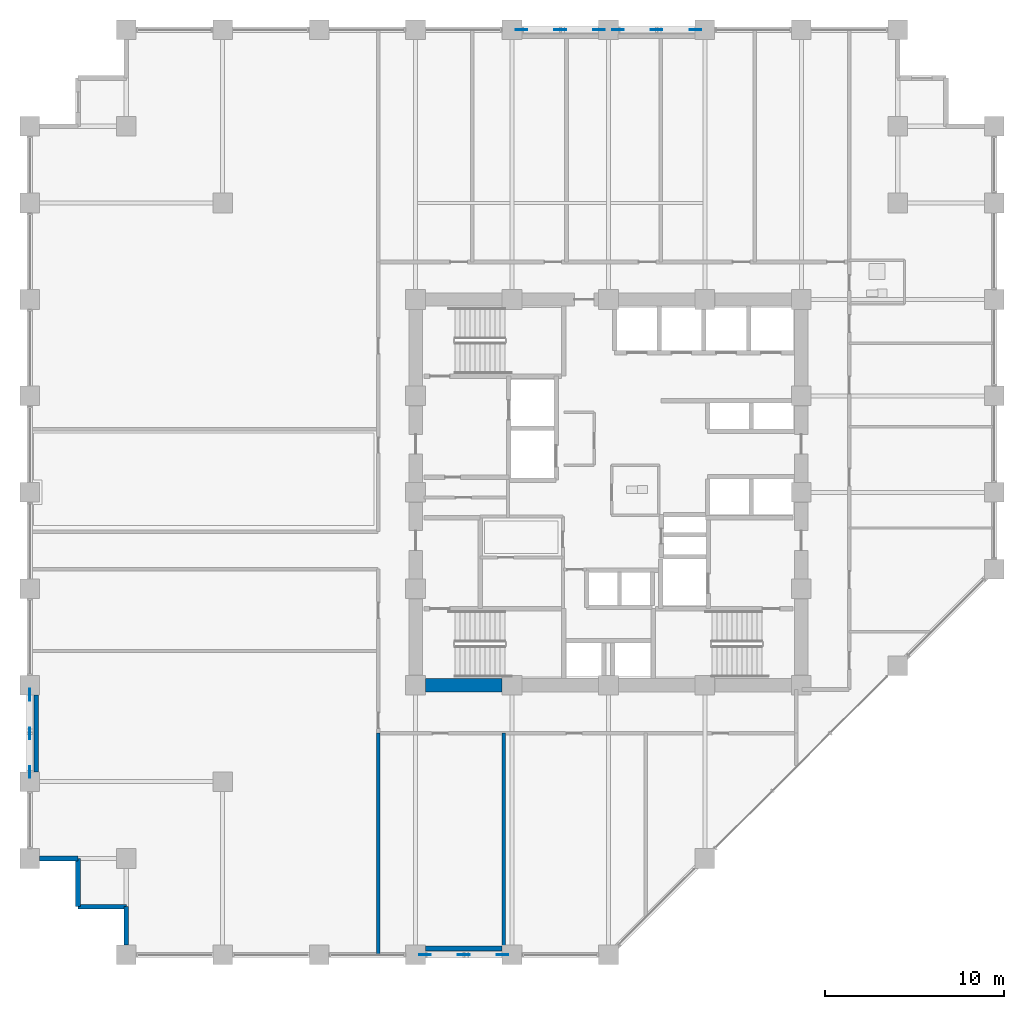
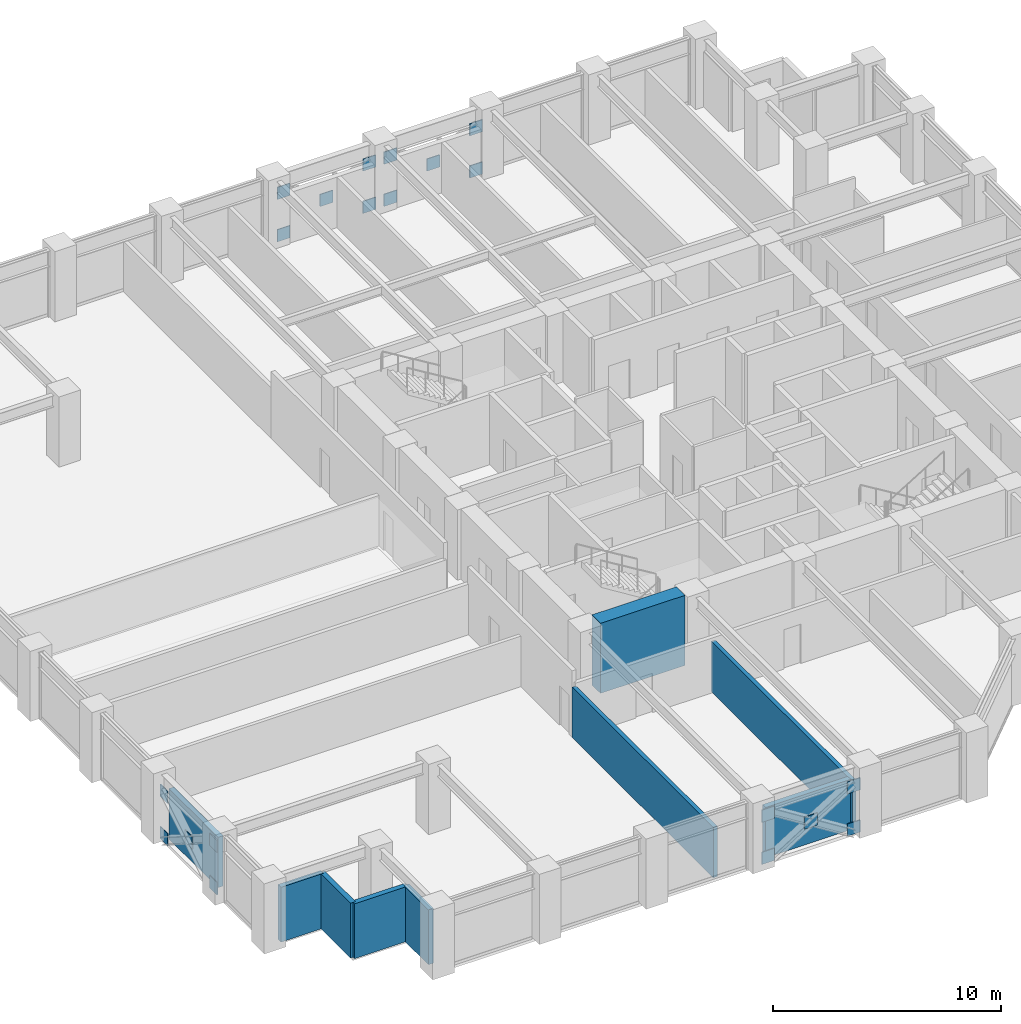
# One storey, part 18 of 25: 20 plates, 9 walls.
"""IFC4 building model written with IfcOpenShell, lengths in metres."""

from ifc_helpers import new_model, si_unit, direction, frame, frame_2d, origin, origin_2d, place, context, subcontext, project, spatial, rectangle, extrude, material, layer, layer_set, type_object, element, save


model = new_model("IFC4")

# Units and contexts
model_context = context("Model", 3, precision=1e-05, world=origin(), true_north=direction((0.0, 1.0)))
body_context = subcontext(model_context, "Body", "Model", "MODEL_VIEW")
ifc_project = project(units=[si_unit("LENGTHUNIT", "METRE"), si_unit("AREAUNIT", "SQUARE_METRE"), si_unit("VOLUMEUNIT", "CUBIC_METRE"), si_unit("PLANEANGLEUNIT", "RADIAN"), si_unit("MASSUNIT", "GRAM", prefix="KILO")], contexts=[model_context])

# Site, building, storey
site_placement = place(None, origin())
site = spatial("IfcSite", under=ifc_project, at=site_placement, CompositionType="ELEMENT")
building_placement = place(site_placement, origin())
building = spatial("IfcBuilding", under=site, at=building_placement, Name="Surkhivell Harbour Commons", CompositionType="ELEMENT")
storey_placement = place(building_placement, frame((0.0, 0.0, 124.5)))
storey = spatial("IfcBuildingStorey", under=building, at=storey_placement, Name="L32", CompositionType="ELEMENT", Elevation=124.5)

# Plates
ifc_material_1 = material(Name="Steel S460", Category="steel")
ifc_layer_1 = layer(ifc_material_1, 0.044921875)
ifc_layer_set_1 = layer_set([ifc_layer_1], Name="Steel S460")
plate_type = type_object("IfcPlateType", Name="PLT-GUS-650", PredefinedType="USERDEFINED", material=ifc_layer_set_1)
for number, where, z_axis, x_axis, name in (
    (1, (-4.864990234375, 25.89990234375, -0.08935546875), (0.0, 0.0, 1.0), (1.0, 0.0, 0.0), "L32 Perimeter Mega-Brace MB- Corner Gusset N-1"),
    (2, (-0.534912109375, 25.89990234375, -0.08935546875), (0.0, 0.0, 1.0), (1.0, 0.0, 0.0), "L32 Perimeter Mega-Brace MB- Corner Gusset N-2"),
    (3, (-4.864990234375, 25.89990234375, 2.170654296875), (0.0, 0.0, 1.0), (1.0, 0.0, 0.0), "L32 Perimeter Mega-Brace MB- Corner Gusset N-3"),
    (4, (-0.534912109375, 25.89990234375, 2.170654296875), (0.0, 0.0, 1.0), (1.0, 0.0, 0.0), "L32 Perimeter Mega-Brace MB- Corner Gusset N-4"),
    (5, (-2.699951171875, 25.89990234375, 1.04052734375), (0.0, 0.0, 1.0), (1.0, 0.0, 0.0), "L32 Perimeter Mega-Brace MB- Central Crossing Gusset N"),
    (6, (0.534912109375, 25.89990234375, -0.08935546875), (0.0, 0.0, 1.0), (1.0, 0.0, 0.0), "L32 Perimeter Mega-Brace MB- Corner Gusset N2-1"),
    (7, (4.864990234375, 25.89990234375, -0.08935546875), (0.0, 0.0, 1.0), (1.0, 0.0, 0.0), "L32 Perimeter Mega-Brace MB- Corner Gusset N2-2"),
    (8, (0.534912109375, 25.89990234375, 2.170654296875), (0.0, 0.0, 1.0), (1.0, 0.0, 0.0), "L32 Perimeter Mega-Brace MB- Corner Gusset N2-3"),
    (9, (4.864990234375, 25.89990234375, 2.170654296875), (0.0, 0.0, 1.0), (1.0, 0.0, 0.0), "L32 Perimeter Mega-Brace MB- Corner Gusset N2-4"),
    (10, (2.699951171875, 25.89990234375, 1.04052734375), (0.0, 0.0, 1.0), (1.0, 0.0, 0.0), "L32 Perimeter Mega-Brace MB- Central Crossing Gusset N2"),
    (11, (-10.264892578125, -25.89990234375, -0.08935546875), (0.0, 0.0, 1.0), (1.0, 0.0, 0.0), "L32 Perimeter Mega-Brace MB- Corner Gusset S-1"),
    (12, (-5.93505859375, -25.89990234375, -0.08935546875), (0.0, 0.0, 1.0), (1.0, 0.0, 0.0), "L32 Perimeter Mega-Brace MB- Corner Gusset S-2"),
    (13, (-10.264892578125, -25.89990234375, 2.170654296875), (0.0, 0.0, 1.0), (1.0, 0.0, 0.0), "L32 Perimeter Mega-Brace MB- Corner Gusset S-3"),
    (14, (-5.93505859375, -25.89990234375, 2.170654296875), (0.0, 0.0, 1.0), (1.0, 0.0, 0.0), "L32 Perimeter Mega-Brace MB- Corner Gusset S-4"),
    (15, (-8.10009765625, -25.89990234375, 1.04052734375), (0.0, 0.0, 1.0), (1.0, 0.0, 0.0), "L32 Perimeter Mega-Brace MB- Central Crossing Gusset S"),
    (16, (-32.39990234375, -15.6650390625, -0.08935546875), (0.0, 0.0, 1.0), (0.0, 1.0, 0.0), "L32 Perimeter Mega-Brace MB- Corner Gusset W-1"),
    (17, (-32.39990234375, -11.3349609375, -0.08935546875), (0.0, 0.0, 1.0), (0.0, 1.0, 0.0), "L32 Perimeter Mega-Brace MB- Corner Gusset W-2"),
    (18, (-32.39990234375, -15.6650390625, 2.170654296875), (0.0, 0.0, 1.0), (0.0, 1.0, 0.0), "L32 Perimeter Mega-Brace MB- Corner Gusset W-3"),
    (19, (-32.39990234375, -11.3349609375, 2.170654296875), (0.0, 0.0, 1.0), (0.0, 1.0, 0.0), "L32 Perimeter Mega-Brace MB- Corner Gusset W-4"),
    (20, (-32.39990234375, -13.5, 1.04052734375), (0.0, 0.0, 1.0), (0.0, 1.0, 0.0), "L32 Perimeter Mega-Brace MB- Central Crossing Gusset W"),
):
    element("IfcPlate", number, at=place(storey_placement, frame(where, z_axis=z_axis, x_axis=x_axis)), inside=storey, type_object=plate_type, Name=name, ObjectType="GUSSET_PLATE", PredefinedType="USERDEFINED", context=body_context, shape_type="SweptSolid", body=[
        extrude(rectangle(XDim=0.64990234375, YDim=0.044921875, at=origin_2d()), origin(), (0.0, 0.0, 1.0), 0.64990234375),
    ])

# Walls
ifc_material_2 = material(Name="Concrete C60/75", Category="concrete")
ifc_layer_2 = layer(ifc_material_2, 0.75)
ifc_layer_set_2 = layer_set([ifc_layer_2], Name="Concrete C60/75")
wall_type_1 = type_object("IfcWallType", Name="WAL-CORE-750", PredefinedType="SHEAR", material=ifc_layer_set_2)
wall_1_placement = place(storey_placement, frame((-10.239990234375, -10.800048828125, 0.0), z_axis=(0.0, 0.0, 1.0), x_axis=(1.0, 0.0, 0.0)))
element("IfcWall", 21, at=wall_1_placement, inside=storey, type_object=wall_type_1, Name="L32 Core Shear Wall South 1", PredefinedType="SHEAR", context=body_context, shape_type="SweptSolid", body=[
    extrude(rectangle(XDim=4.280029296875, YDim=0.75, at=frame_2d((2.14013671875, 0.0))), origin(), (0.0, 0.0, 1.0), 3.75),
])
ifc_material_3 = material(Name="Pale-metal insulated precast concrete C45/55", Category="concrete")
ifc_layer_3 = layer(ifc_material_3, 0.260009765625)
ifc_layer_set_3 = layer_set([ifc_layer_3], Name="Pale-metal insulated precast concrete C45/55")
wall_type_2 = type_object("IfcWallType", Name="WAL-EXT-MTL260", PredefinedType="STANDARD", material=ifc_layer_set_3)
wall_2_placement = place(storey_placement, frame((-10.251953125, -25.5400390625, 0.0), z_axis=(0.0, 0.0, 1.0), x_axis=(1.0, 0.0, 0.0)))
element("IfcWall", 22, at=wall_2_placement, inside=storey, type_object=wall_type_2, Name="L32 Braced-Bay Insulated Spandrel Backing S", PredefinedType="STANDARD", context=body_context, shape_type="SweptSolid", body=[
    extrude(rectangle(XDim=4.303955078125, YDim=0.260009765625, at=frame_2d((2.15185546875, 0.0))), origin(), (0.0, 0.0, 1.0), 2.698974609375),
])
wall_3_placement = place(storey_placement, frame((-32.0400390625, -11.347900390625, 0.0), z_axis=(0.0, 0.0, 1.0), x_axis=(0.0, -1.0, 0.0)))
element("IfcWall", 23, at=wall_3_placement, inside=storey, type_object=wall_type_2, Name="L32 Braced-Bay Insulated Spandrel Backing W", PredefinedType="STANDARD", context=body_context, shape_type="SweptSolid", body=[
    extrude(rectangle(XDim=4.30419921875, YDim=0.260009765625, at=frame_2d((2.152099609375, 0.0))), origin(), (0.0, 0.0, 1.0), 2.698974609375),
])
wall_4_placement = place(storey_placement, frame((-31.85205078125, -20.5, 0.0), z_axis=(0.0, 0.0, 1.0), x_axis=(1.0, 0.0, 0.0)))
element("IfcWall", 24, at=wall_4_placement, inside=storey, type_object=wall_type_2, Name="L32 Serrated Corner Facade Wall 13", PredefinedType="STANDARD", context=body_context, shape_type="SweptSolid", body=[
    extrude(rectangle(XDim=2.152099609375, YDim=0.260009765625, at=frame_2d((1.076171875, 0.0))), origin(), (0.0, 0.0, 1.0), 2.93310546875),
])
for number, where, z_axis, x_axis, name in (
    (25, (-29.699951171875, -20.5, 0.0), (0.0, 0.0, 1.0), (0.0, -1.0, 0.0), "L32 Serrated Corner Facade Wall 14"),
    (26, (-29.699951171875, -23.199951171875, 0.0), (0.0, 0.0, 1.0), (1.0, 0.0, 0.0), "L32 Serrated Corner Facade Wall 15"),
):
    element("IfcWall", number, at=place(storey_placement, frame(where, z_axis=z_axis, x_axis=x_axis)), inside=storey, type_object=wall_type_2, Name=name, PredefinedType="STANDARD", context=body_context, shape_type="SweptSolid", body=[
        extrude(rectangle(XDim=2.699951171875, YDim=0.260009765625, at=frame_2d((1.35009765625, 0.0))), origin(), (0.0, 0.0, 1.0), 2.93310546875),
    ])
wall_5_placement = place(storey_placement, frame((-27.0, -23.199951171875, 0.0), z_axis=(0.0, 0.0, 1.0), x_axis=(0.0, -1.0, 0.0)))
element("IfcWall", 27, at=wall_5_placement, inside=storey, type_object=wall_type_2, Name="L32 Serrated Corner Facade Wall 16", PredefinedType="STANDARD", context=body_context, shape_type="SweptSolid", body=[
    extrude(rectangle(XDim=2.152099609375, YDim=0.260009765625, at=frame_2d((1.076171875, 0.0))), origin(), (0.0, 0.0, 1.0), 2.93310546875),
])
ifc_material_4 = material(Name="Autoclaved aerated concrete blockwork and fire plaster", Category="masonry")
ifc_layer_4 = layer(ifc_material_4, 0.199951171875)
ifc_layer_set_4 = layer_set([ifc_layer_4], Name="Autoclaved aerated concrete blockwork and fire plaster")
wall_type_3 = type_object("IfcWallType", Name="WAL-INT-200", PredefinedType="PARTITIONING", material=ifc_layer_set_4)
for number, where, z_axis, x_axis, name in (
    (28, (-12.89990234375, -25.840087890625, 0.0), (0.0, 0.0, 1.0), (0.0, 1.0, 0.0), "L32 South-West Wing Corner Divider"),
    (29, (-5.8701171875, -25.840087890625, 0.0), (0.0, 0.0, 1.0), (0.0, 1.0, 0.0), "L32 South Partition P1"),
):
    element("IfcWall", number, at=place(storey_placement, frame(where, z_axis=z_axis, x_axis=x_axis)), inside=storey, type_object=wall_type_3, Name=name, PredefinedType="PARTITIONING", context=body_context, shape_type="SweptSolid", body=[
        extrude(rectangle(XDim=12.360107421875, YDim=0.199951171875, at=frame_2d((6.18017578125, 0.0))), origin(), (0.0, 0.0, 1.0), 2.698974609375),
    ])

save(model, "model.ifc")
